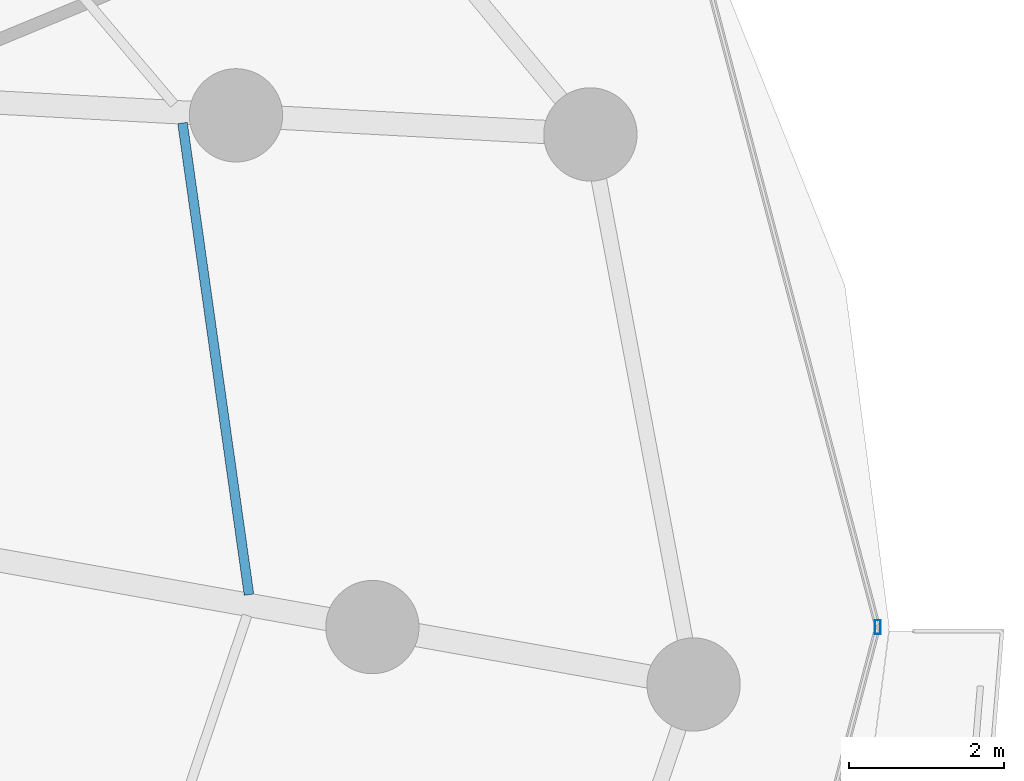
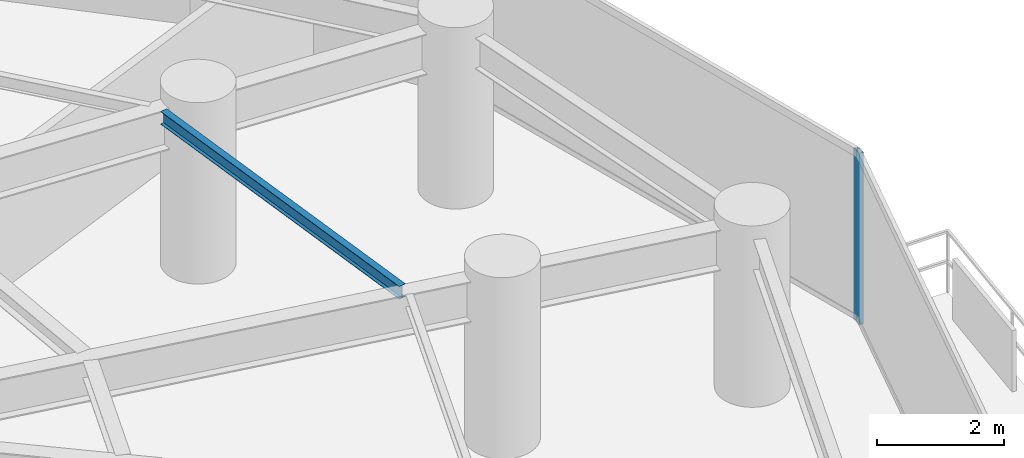
# One storey, part 16 of 35: 1 beam, 1 member, 1 element without a shape of its own.
"""IFC4 building model written with IfcOpenShell, lengths in metres."""

import ifcopenshell
import ifcopenshell.guid

model = None  # the IFC model being written
_history = None  # IfcOwnerHistory: only IFC2X3 demands one
_inside = {}  # id of a spatial element -> (the spatial element, [elements in it])
_under = {}  # id of a project, library or spatial element -> (it, [spatial elements below it])
_declared = {}  # id of a project -> (the project, [libraries it declares])
_typed = {}  # id of a type object -> (the type object, [elements of that type])
_made_of = {}  # id of a material, layer set ... -> (it, [elements and type objects made of it])


def new_model(schema):
    """Start an empty IFC model of exactly this schema.

    Asked for "IFC4X3", IfcOpenShell would pick the latest addendum, in which some entities
    have other attributes; the version numbers below select the first issue.
    IFC2X3 requires an IfcOwnerHistory on every rooted entity: one is made here for all.
    """
    global model, _history
    if schema == "IFC4X3":
        model = ifcopenshell.file(schema_version=(4, 3, 0, 0))
    else:
        model = ifcopenshell.file(schema=schema)
    _inside.clear()
    _under.clear()
    _declared.clear()
    _typed.clear()
    _made_of.clear()
    _history = None
    if model.schema == "IFC2X3":
        org = make("IfcOrganization", Name="unknown")
        user = make(
            "IfcPersonAndOrganization",
            ThePerson=make("IfcPerson", FamilyName="unknown"),
            TheOrganization=org,
        )
        app = make(
            "IfcApplication",
            ApplicationDeveloper=org,
            Version="unknown",
            ApplicationFullName="unknown",
            ApplicationIdentifier="unknown",
        )
        _history = make(
            "IfcOwnerHistory",
            OwningUser=user,
            OwningApplication=app,
            ChangeAction="ADDED",
            CreationDate=0,
        )
    return model


def make(cls, **values):
    """One entity of the class cls with the attributes given. An attribute that is None is left unset."""
    return model.create_entity(
        cls, **{name: value for name, value in values.items() if value is not None}
    )


def rooted(cls, **values):
    """An entity with a GlobalId (a new one), such as an element, a storey or a relation."""
    return make(cls, GlobalId=ifcopenshell.guid.new(), OwnerHistory=_history, **values)


def si_unit(unit_type, name, prefix=None):
    """IfcSIUnit, for example si_unit("LENGTHUNIT", "METRE", prefix="MILLI")."""
    return make("IfcSIUnit", UnitType=unit_type, Prefix=prefix, Name=name)


def assignment(units):
    """IfcUnitAssignment: the units of a project."""
    return None if units is None else make("IfcUnitAssignment", Units=units)


def point(xyz):
    """IfcCartesianPoint."""
    return None if xyz is None else make("IfcCartesianPoint", Coordinates=xyz)


def direction(xyz):
    """IfcDirection."""
    return None if xyz is None else make("IfcDirection", DirectionRatios=xyz)


def frame(location, z_axis=None, x_axis=None):
    """IfcAxis2Placement3D, a coordinate frame: its origin and axes. An axis left out is left unset."""
    return make(
        "IfcAxis2Placement3D",
        Location=point(location),
        Axis=direction(z_axis),
        RefDirection=direction(x_axis),
    )


def frame_2d(location, x_axis=None):
    """IfcAxis2Placement2D, a coordinate frame in the plane: its origin and x axis."""
    return make(
        "IfcAxis2Placement2D", Location=point(location), RefDirection=direction(x_axis)
    )


def origin():
    """The frame at (0, 0, 0) with its axes left unset."""
    return frame((0.0, 0.0, 0.0))


def origin_2d():
    """The frame at (0, 0) in the plane with its x axis left unset."""
    return frame_2d((0.0, 0.0))


def place(relative_to, where):
    """IfcLocalPlacement: puts the frame where relative to a parent placement (None: the world)."""
    return make(
        "IfcLocalPlacement", PlacementRelTo=relative_to, RelativePlacement=where
    )


def context(
    kind, dimensions, precision=None, world=None, true_north=None, identifier=None
):
    """IfcGeometricRepresentationContext, for example the 3D "Model" context."""
    return make(
        "IfcGeometricRepresentationContext",
        ContextIdentifier=identifier,
        ContextType=kind,
        CoordinateSpaceDimension=dimensions,
        Precision=precision,
        WorldCoordinateSystem=world,
        TrueNorth=true_north,
    )


def subcontext(parent, identifier, kind, view, scale=None):
    """IfcGeometricRepresentationSubContext, for example "Body" below "Model"."""
    return make(
        "IfcGeometricRepresentationSubContext",
        ContextIdentifier=identifier,
        ContextType=kind,
        ParentContext=parent,
        TargetScale=scale,
        TargetView=view,
    )


def project(units=None, contexts=None):
    """IfcProject with its units and contexts."""
    return rooted(
        "IfcProject",
        Name="project",
        RepresentationContexts=contexts,
        UnitsInContext=assignment(units),
    )


def spatial(cls, under=None, at=None, **own):
    """A site, building, storey or space (cls), placed at a placement, below another one or the project."""
    s = rooted(cls, ObjectPlacement=at, **own)
    if under is not None:
        _under.setdefault(under.id(), (under, []))[1].append(s)
    return s


def profile(cls, at=None, kind="AREA", **sizes):
    """A parametric profile (cls). Its sizes go by their IFC names, for example OverallWidth=200.0."""
    return make(cls, ProfileType=kind, Position=at, **sizes)


def hollow_rectangle(**sizes):
    """IfcRectangleHollowProfileDef."""
    return profile("IfcRectangleHollowProfileDef", **sizes)


def i_section(**sizes):
    """IfcIShapeProfileDef."""
    return profile("IfcIShapeProfileDef", **sizes)


def extrude(swept, where, along, depth):
    """IfcExtrudedAreaSolid: the profile swept, set in the frame where, extruded along a direction by depth."""
    return make(
        "IfcExtrudedAreaSolid",
        SweptArea=swept,
        Position=where,
        ExtrudedDirection=direction(along),
        Depth=depth,
    )


def shape(context_of_items, identifier, shape_type, items):
    """IfcShapeRepresentation: the items that make up one representation, for example the "Body"."""
    return make(
        "IfcShapeRepresentation",
        ContextOfItems=context_of_items,
        RepresentationIdentifier=identifier,
        RepresentationType=shape_type,
        Items=items,
    )


def material(Name=None, Category=None):
    """IfcMaterial."""
    return make("IfcMaterial", Name=Name, Category=Category)


def material_profile(
    of_material, cross_section, Name=None, Category=None, Priority=None
):
    """IfcMaterialProfile: a cross section and its material."""
    return make(
        "IfcMaterialProfile",
        Name=Name,
        Material=of_material,
        Profile=cross_section,
        Priority=Priority,
        Category=Category,
    )


def profile_set(profiles, Name=None, composite=None):
    """IfcMaterialProfileSet."""
    return make(
        "IfcMaterialProfileSet",
        Name=Name,
        MaterialProfiles=profiles,
        CompositeProfile=composite,
    )


def made_of(thing, what):
    """Note that an element or type object is made of a material, layer set ...; save() writes the relation."""
    if what is not None:
        _made_of.setdefault(what.id(), (what, []))[1].append(thing)
    return thing


def type_object(cls, material=None, **own):
    """A type object (cls), such as IfcWallType, which elements share."""
    return made_of(rooted(cls, **own), material)


def element(
    cls,
    number,
    at=None,
    inside=None,
    cuts=None,
    type_object=None,
    material=None,
    context=None,
    identifier="Body",
    shape_type=None,
    held_by="IfcProductDefinitionShape",
    body=None,
    shapes=None,
    **own,
):
    """One element of the class cls, such as IfcWall. Its Tag is "e" and its number.

    at: its placement. inside: the storey or other place that contains it. cuts: it is an
    opening in that element (IfcRelVoidsElement). A single representation is given by context,
    identifier, shape_type and body (its items); several are given by shapes. held_by: the class
    of the entity that holds the representations. save() writes the other relations.
    """
    e = rooted(cls, Tag="e%d" % number, ObjectPlacement=at, **own)
    if body is not None:
        shapes = [shape(context, identifier, shape_type, body)]
    if shapes is not None:
        e.Representation = make(held_by, Representations=shapes)
    if inside is not None:
        _inside.setdefault(inside.id(), (inside, []))[1].append(e)
    if cuts is not None:
        rooted(
            "IfcRelVoidsElement", RelatingBuildingElement=cuts, RelatedOpeningElement=e
        )
    if type_object is not None:
        _typed.setdefault(type_object.id(), (type_object, []))[1].append(e)
    return made_of(e, material)


def aggregate(whole, parts):
    """IfcRelAggregates: a whole, such as a stair, and the parts it consists of."""
    return rooted("IfcRelAggregates", RelatingObject=whole, RelatedObjects=parts)


def save(model, path):
    """Write the relations noted so far, then the file.

    IfcRelAggregates (storeys below a building ...), IfcRelContainedInSpatialStructure (elements
    in a storey), IfcRelDefinesByType, IfcRelAssociatesMaterial and IfcRelDeclares: one each for
    every whole, place, type object, material and project.
    """
    for whole, parts in _under.values():
        aggregate(whole, parts)
    for where, things in _inside.values():
        rooted(
            "IfcRelContainedInSpatialStructure",
            RelatedElements=things,
            RelatingStructure=where,
        )
    for kind, things in _typed.values():
        rooted("IfcRelDefinesByType", RelatedObjects=things, RelatingType=kind)
    for what, things in _made_of.values():
        rooted("IfcRelAssociatesMaterial", RelatedObjects=things, RelatingMaterial=what)
    for by, libraries in _declared.values():
        rooted("IfcRelDeclares", RelatingContext=by, RelatedDefinitions=libraries)
    model.write(path)


model = new_model("IFC4")

# Units and contexts
model_context = context("Model", 3, precision=1e-05, world=origin(), true_north=direction((0.0, 1.0)))
body_context = subcontext(model_context, "Body", "Model", "MODEL_VIEW")
ifc_project = project(units=[si_unit("LENGTHUNIT", "METRE"), si_unit("AREAUNIT", "SQUARE_METRE"), si_unit("VOLUMEUNIT", "CUBIC_METRE"), si_unit("PLANEANGLEUNIT", "RADIAN"), si_unit("MASSUNIT", "GRAM", prefix="KILO")], contexts=[model_context])

# Site, building, storey
site_placement = place(None, origin())
site = spatial("IfcSite", under=ifc_project, at=site_placement, CompositionType="ELEMENT")
building_placement = place(site_placement, origin())
building = spatial("IfcBuilding", under=site, at=building_placement, Name="Vorneva Point Tower", CompositionType="ELEMENT")
storey_placement = place(building_placement, frame((0.0, 0.0, 52.0)))
storey = spatial("IfcBuildingStorey", under=building, at=storey_placement, Name="L13", CompositionType="ELEMENT", Elevation=52.0)

# Beam
ifc_material_1 = material(Name="Steel S355", Category="steel")
ifc_material_profile_1 = material_profile(ifc_material_1, i_section(OverallWidth=0.1240234375, OverallDepth=0.248046875, WebThickness=0.0048828125, FlangeThickness=0.008056640625, at=origin_2d()), Name="25B1")
ifc_profile_set_1 = profile_set([ifc_material_profile_1], Name="Steel S355")
beam_type = type_object("IfcBeamType", Name="BM-JST-25B1", PredefinedType="JOIST", material=ifc_profile_set_1)
beam_placement = place(storey_placement, frame((59.462890625, 26.4169921875, 3.115966796875), z_axis=(-0.139552173053, 0.990214719642, 0.0), x_axis=(-0.990214719642, -0.139552173053, 0.0)))
element("IfcBeam", 1, at=beam_placement, inside=storey, type_object=beam_type, Name="L13 Secondary Floor Beam 1.01", PredefinedType="JOIST", context=body_context, shape_type="SweptSolid", body=[
    extrude(i_section(OverallWidth=0.1240234375, OverallDepth=0.248046875, WebThickness=0.0048828125, FlangeThickness=0.008056640625, at=origin_2d()), origin(), (0.0, 0.0, 1.0), 6.126708984375),
])

# Curtain wall, member
ifc_material_2 = material(Name="Pale anodised aluminium", Category="aluminium")
curtain_wall_type = type_object("IfcCurtainWallType", Name="CW-HTL-SYS", PredefinedType="NOTDEFINED", material=ifc_material_2)
curtain_wall_placement = place(storey_placement, origin())
curtain_wall = element("IfcCurtainWall", 2, at=curtain_wall_placement, inside=storey, type_object=curtain_wall_type, Name="L13 Unitised Curtain Wall CW-L13-R01", PredefinedType="NOTDEFINED")
ifc_material_profile_2 = material_profile(ifc_material_2, hollow_rectangle(XDim=0.074951171875, YDim=0.179931640625, WallThickness=0.00390625, at=origin_2d()), Name="AL-MUL 180x75x4")
ifc_profile_set_2 = profile_set([ifc_material_profile_2], Name="Pale anodised aluminium")
member_type = type_object("IfcMemberType", Name="CW-MUL-180", PredefinedType="MULLION", material=ifc_profile_set_2)
member_placement = place(storey_placement, frame((67.550048828125, 26.0, -0.0400390625), z_axis=(0.0, 0.0, 1.0), x_axis=(1.0, 0.0, 0.0)))
member = element("IfcMember", 3, at=member_placement, type_object=member_type, Name="CW-L13-R01 Mullion 04", PredefinedType="MULLION", context=body_context, shape_type="SweptSolid", body=[
    extrude(hollow_rectangle(XDim=0.074951171875, YDim=0.179931640625, WallThickness=0.00390625, at=origin_2d()), origin(), (0.0, 0.0, 1.0), 3.31005859375),
])
aggregate(curtain_wall, [member])

save(model, "model.ifc")
